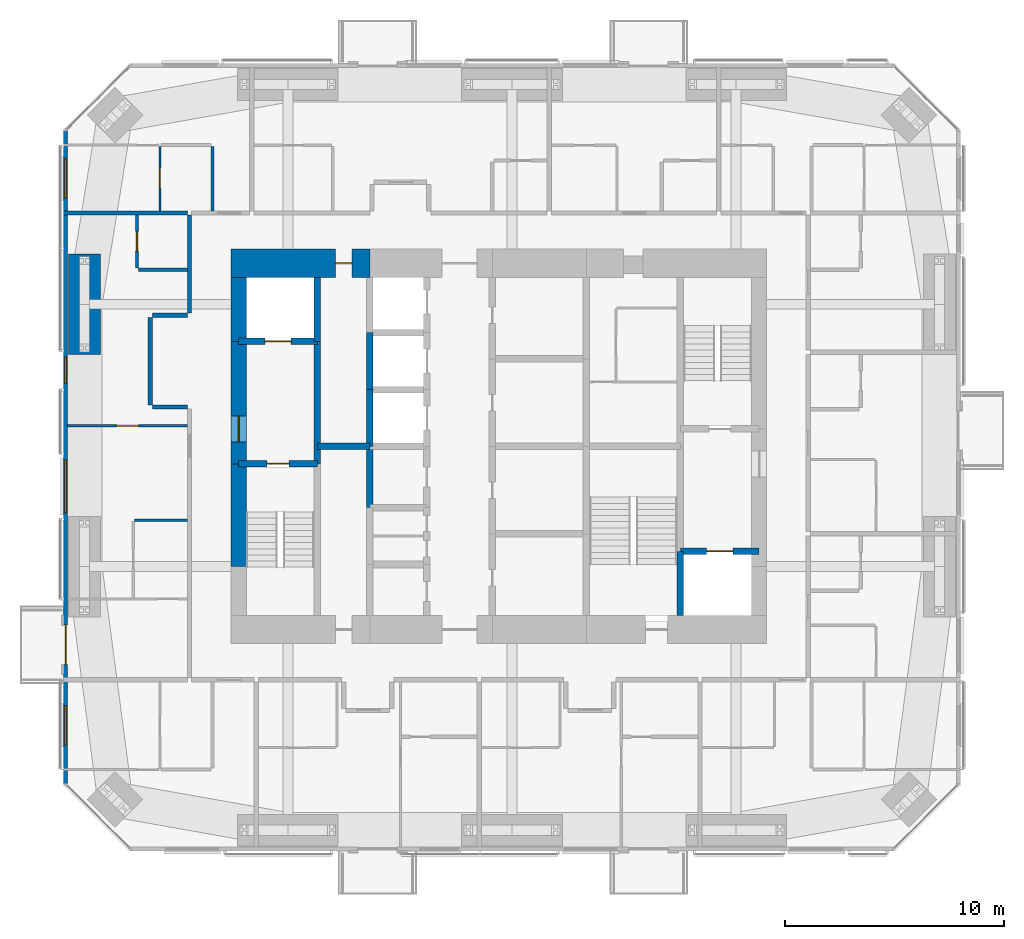
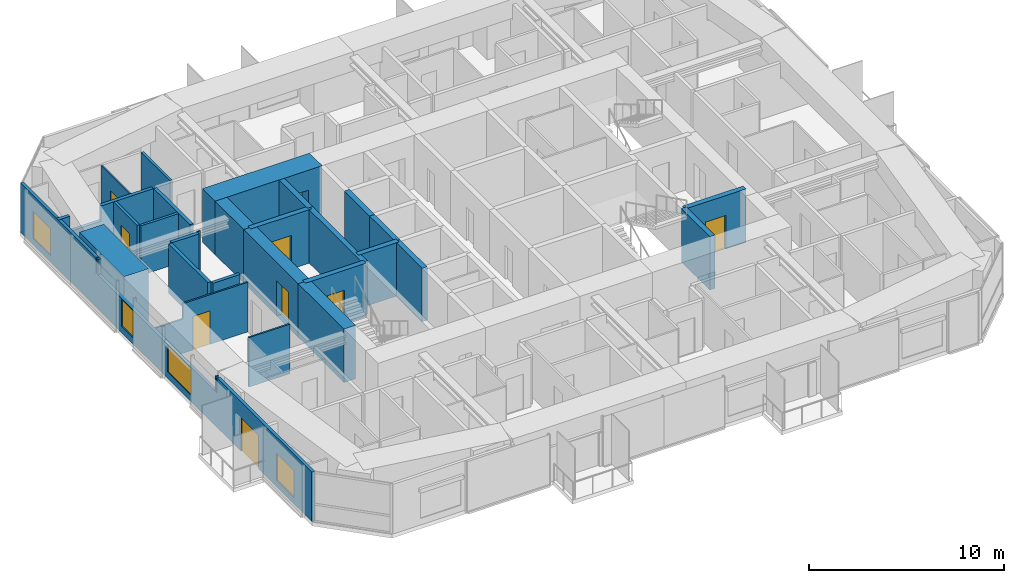
# One storey, part 17 of 22: 27 walls, 9 doors, 4 windows, 13 openings.
"""IFC4 building model written with IfcOpenShell, lengths in metres."""

from ifc_helpers import new_model, si_unit, direction, frame, frame_2d, origin, place, context, subcontext, project, spatial, polyline, rectangle, outline, extrude, material, layer, layer_set, constituent, constituent_set, type_object, element, fill, save


model = new_model("IFC4")

# Units and contexts
model_context = context("Model", 3, precision=1e-05, world=origin(), true_north=direction((0.0, 1.0)))
body_context = subcontext(model_context, "Body", "Model", "MODEL_VIEW")
ifc_project = project(units=[si_unit("LENGTHUNIT", "METRE"), si_unit("AREAUNIT", "SQUARE_METRE"), si_unit("VOLUMEUNIT", "CUBIC_METRE"), si_unit("PLANEANGLEUNIT", "RADIAN"), si_unit("MASSUNIT", "GRAM", prefix="KILO")], contexts=[model_context])

# Site, building, storey
site_placement = place(None, origin())
site = spatial("IfcSite", under=ifc_project, at=site_placement, CompositionType="ELEMENT")
building_placement = place(site_placement, origin())
building = spatial("IfcBuilding", under=site, at=building_placement, Name="Jalousie Tower", CompositionType="ELEMENT")
storey_placement = place(building_placement, frame((0.0, 0.0, 161.050048828125)))
storey = spatial("IfcBuildingStorey", under=building, at=storey_placement, Name="L43", CompositionType="ELEMENT", Elevation=161.050048828125)

# Wall
ifc_material_1 = material(Name="Concrete block ASTM C90", Category="concrete")
ifc_constituent_1 = constituent(ifc_material_1, Name="Body")
ifc_material_2 = material(Name="Render")
ifc_constituent_2 = constituent(ifc_material_2, Name="Finish")
ifc_constituent_set_1 = constituent_set(constituents=[ifc_constituent_1, ifc_constituent_2])
wall_type_1 = type_object("IfcWallType", Name="BATHROOM WALL 150", PredefinedType="PLUMBINGWALL", material=ifc_constituent_set_1)
wall_1_placement = place(storey_placement, frame((18.800048828125, 32.20361328125, 0.0), z_axis=(0.0, 0.0, 1.0), x_axis=(0.0, -1.0, 0.0)))
element("IfcWall", 1, at=wall_1_placement, inside=storey, type_object=wall_type_1, Name="Bathroom Wall 150 L43", PredefinedType="PLUMBINGWALL", context=body_context, shape_type="SweptSolid", body=[
    extrude(rectangle(XDim=2.9287109375, YDim=0.14990234375, at=frame_2d((1.46435546875, 0.0))), origin(), (0.0, 0.0, 1.0), 3.10986328125),
])

# Wall, opening, door
wall_2_placement = place(storey_placement, frame((15.35009765625, 26.64990234375, 0.0), z_axis=(0.0, 0.0, 1.0), x_axis=(0.0, 1.0, 0.0)))
wall_2 = element("IfcWall", 2, at=wall_2_placement, inside=storey, type_object=wall_type_1, Name="Bathroom Wall 150 L43", PredefinedType="PLUMBINGWALL", context=body_context, shape_type="SweptSolid", body=[
    extrude(rectangle(XDim=2.425048828125, YDim=0.14990234375, at=frame_2d((1.21240234375, 0.0))), origin(), (0.0, 0.0, 1.0), 3.10986328125),
])
opening_1_placement = place(wall_2_placement, frame((0.77490234375, 0.0, 0.0)))
opening_1 = element("IfcOpeningElement", 3, at=opening_1_placement, cuts=wall_2, Name="Opening D3", PredefinedType="OPENING", context=body_context, shape_type="SweptSolid", body=[
    extrude(rectangle(XDim=0.89990234375, YDim=2.10009765625, at=frame_2d((0.449951171875, 1.050048828125))), frame((0.0, 0.0849609375, 0.0), z_axis=(0.0, -1.0, 0.0), x_axis=(1.0, 0.0, 0.0)), (0.0, 0.0, 1.0), 0.169921875),
])
ifc_material_3 = material(Name="Timber door", Category="wood")
door_type_1 = type_object("IfcDoorType", Name="BATHROOM DOOR 900", OperationType="SINGLE_SWING_LEFT", PredefinedType="DOOR", material=ifc_material_3)
door_1_placement = place(opening_1_placement, frame((0.89990234375, 0.0, 0.0), z_axis=(0.0, 0.0, 1.0), x_axis=(-1.0, 0.0, 0.0)))
door_1 = element("IfcDoor", 4, at=door_1_placement, inside=storey, type_object=door_type_1, Name="Apartment 4309 bathroom door", OperationType="SINGLE_SWING_LEFT", OverallHeight=2.10009765625, OverallWidth=0.89990234375, PredefinedType="DOOR", context=body_context, shape_type="SweptSolid", body=[
    extrude(rectangle(XDim=0.89990234375, YDim=2.10009765625, at=frame_2d((0.449951171875, 1.050048828125))), frame((0.0, 0.02490234375, 0.0), z_axis=(0.0, -1.0, 0.0), x_axis=(1.0, 0.0, 0.0)), (0.0, 0.0, 1.0), 0.050048828125),
])
fill(opening_1, door_1)

# Wall
wall_3_placement = place(storey_placement, frame((15.425048828125, 26.574951171875, 0.0), z_axis=(0.0, 0.0, 1.0), x_axis=(1.0, 0.0, 0.0)))
element("IfcWall", 5, at=wall_3_placement, inside=storey, type_object=wall_type_1, Name="Bathroom Wall 150 L43", PredefinedType="PLUMBINGWALL", context=body_context, shape_type="SweptSolid", body=[
    extrude(rectangle(XDim=2.224853515625, YDim=0.14990234375, at=frame_2d((1.1123046875, 0.0))), origin(), (0.0, 0.0, 1.0), 3.10986328125),
])

# Wall, opening, door
ifc_material_4 = material(Name="Concrete f'c 120 MPa", Category="concrete")
ifc_layer_1 = layer(ifc_material_4, 1.300048828125)
ifc_layer_set_1 = layer_set([ifc_layer_1], Name="Concrete f'c 120 MPa")
wall_type_2 = type_object("IfcWallType", Name="CORE WALL 1300", PredefinedType="SHEAR", material=ifc_layer_set_1)
wall_4_placement = place(storey_placement, frame((26.0, 26.875, 0.0), z_axis=(0.0, 0.0, 1.0), x_axis=(-1.0, 0.0, 0.0)))
wall_4 = element("IfcWall", 6, at=wall_4_placement, inside=storey, type_object=wall_type_2, Name="Core wall ND L43", PredefinedType="SHEAR", context=body_context, shape_type="SweptSolid", body=[
    extrude(rectangle(XDim=6.35009765625, YDim=1.300048828125, at=frame_2d((3.175048828125, 0.0))), origin(), (0.0, 0.0, 1.0), 3.349853515625),
])
opening_2_placement = place(wall_4_placement, frame((0.824951171875, 0.0, 0.0)))
opening_2 = element("IfcOpeningElement", 7, at=opening_2_placement, cuts=wall_4, Name="Opening D16", PredefinedType="OPENING", context=body_context, shape_type="SweptSolid", body=[
    extrude(rectangle(XDim=0.75, YDim=2.10009765625, at=frame_2d((0.375, 1.050048828125))), frame((0.0, 0.659912109375, 0.0), z_axis=(0.0, -1.0, 0.0), x_axis=(1.0, 0.0, 0.0)), (0.0, 0.0, 1.0), 1.320068359375),
])
ifc_material_5 = material(Name="Steel fire door", Category="steel")
door_type_2 = type_object("IfcDoorType", Name="RISER DOOR 750", OperationType="SINGLE_SWING_LEFT", PredefinedType="DOOR", material=ifc_material_5)
door_2_placement = place(opening_2_placement, origin())
door_2 = element("IfcDoor", 8, at=door_2_placement, inside=storey, type_object=door_type_2, Name="North riser door", OperationType="SINGLE_SWING_RIGHT", OverallHeight=2.10009765625, OverallWidth=0.75, PredefinedType="DOOR", context=body_context, shape_type="SweptSolid", body=[
    extrude(rectangle(XDim=0.75, YDim=2.10009765625, at=frame_2d((0.375, 1.050048828125))), frame((0.0, 0.02490234375, 0.0), z_axis=(0.0, -1.0, 0.0), x_axis=(1.0, 0.0, 0.0)), (0.0, 0.0, 1.0), 0.050048828125),
])
fill(opening_2, door_2)

# Walls
ifc_material_6 = material(Name="Concrete f'c 120 MPa", Category="concrete")
ifc_layer_2 = layer(ifc_material_6, 0.300048828125)
ifc_layer_set_2 = layer_set([ifc_layer_2], Name="Concrete f'c 120 MPa")
wall_type_3 = type_object("IfcWallType", Name="CORE WALL 300", PredefinedType="SHEAR", material=ifc_layer_set_2)
wall_5_placement = place(storey_placement, frame((23.60009765625, 17.699951171875, 0.0), z_axis=(0.0, 0.0, 1.0), x_axis=(0.0, 1.0, 0.0)))
element("IfcWall", 9, at=wall_5_placement, inside=storey, type_object=wall_type_3, Name="Core wall X23.6B L43", PredefinedType="SHEAR", context=body_context, shape_type="SweptSolid", body=[
    extrude(rectangle(XDim=5.60009765625, YDim=0.300048828125, at=frame_2d((2.800048828125, 0.0))), origin(), (0.0, 0.0, 1.0), 3.349853515625),
])
wall_6_placement = place(storey_placement, frame((23.60009765625, 23.300048828125, 0.0), z_axis=(0.0, 0.0, 1.0), x_axis=(0.0, 1.0, 0.0)))
element("IfcWall", 10, at=wall_6_placement, inside=storey, type_object=wall_type_3, Name="Core wall X23.6C L43", PredefinedType="SHEAR", context=body_context, shape_type="SweptSolid", body=[
    extrude(rectangle(XDim=2.925048828125, YDim=0.300048828125, at=frame_2d((1.46240234375, 0.0))), origin(), (0.0, 0.0, 1.0), 3.349853515625),
])
wall_7_placement = place(storey_placement, frame((26.0, 15.699951171875, 0.0), z_axis=(0.0, 0.0, 1.0), x_axis=(0.0, 1.0, 0.0)))
element("IfcWall", 11, at=wall_7_placement, inside=storey, type_object=wall_type_3, Name="Core wall X26C L43", PredefinedType="SHEAR", context=body_context, shape_type="SweptSolid", body=[
    extrude(rectangle(XDim=2.800048828125, YDim=0.300048828125, at=frame_2d((1.39990234375, 0.0))), origin(), (0.0, 0.0, 1.0), 3.349853515625),
])
wall_8_placement = place(storey_placement, frame((26.0, 18.5, 0.0), z_axis=(0.0, 0.0, 1.0), x_axis=(0.0, 1.0, 0.0)))
element("IfcWall", 12, at=wall_8_placement, inside=storey, type_object=wall_type_3, Name="Core wall X26D L43", PredefinedType="SHEAR", context=body_context, shape_type="SweptSolid", body=[
    extrude(rectangle(XDim=2.60009765625, YDim=0.300048828125, at=frame_2d((1.300048828125, 0.0))), origin(), (0.0, 0.0, 1.0), 3.349853515625),
])
wall_9_placement = place(storey_placement, frame((26.0, 21.10009765625, 0.0), z_axis=(0.0, 0.0, 1.0), x_axis=(0.0, 1.0, 0.0)))
element("IfcWall", 13, at=wall_9_placement, inside=storey, type_object=wall_type_3, Name="Core wall X26E L43", PredefinedType="SHEAR", context=body_context, shape_type="SweptSolid", body=[
    extrude(rectangle(XDim=2.599853515625, YDim=0.300048828125, at=frame_2d((1.2998046875, 0.0))), origin(), (0.0, 0.0, 1.0), 3.349853515625),
])
wall_10_placement = place(storey_placement, frame((40.199951171875, 10.77490234375, 0.0), z_axis=(0.0, 0.0, 1.0), x_axis=(0.0, 1.0, 0.0)))
element("IfcWall", 14, at=wall_10_placement, inside=storey, type_object=wall_type_3, Name="Core wall X40.2A L43", PredefinedType="SHEAR", context=body_context, shape_type="SweptSolid", body=[
    extrude(rectangle(XDim=2.925048828125, YDim=0.300048828125, at=frame_2d((1.46240234375, 0.0))), origin(), (0.0, 0.0, 1.0), 3.349853515625),
])

# Wall, opening, door
wall_11_placement = place(storey_placement, frame((20.0, 17.699951171875, 0.0), z_axis=(0.0, 0.0, 1.0), x_axis=(1.0, 0.0, 0.0)))
wall_11 = element("IfcWall", 15, at=wall_11_placement, inside=storey, type_object=wall_type_3, Name="Core wall Y20-17.7 L43", PredefinedType="SHEAR", context=body_context, shape_type="SweptSolid", body=[
    extrude(rectangle(XDim=3.60009765625, YDim=0.300048828125, at=frame_2d((1.800048828125, 0.0))), origin(), (0.0, 0.0, 1.0), 3.349853515625),
])
opening_3_placement = place(wall_11_placement, frame((1.300048828125, 0.0, 0.0)))
opening_3 = element("IfcOpeningElement", 16, at=opening_3_placement, cuts=wall_11, Name="Opening D10", PredefinedType="OPENING", context=body_context, shape_type="SweptSolid", body=[
    extrude(rectangle(XDim=1.0, YDim=2.10009765625, at=frame_2d((0.5, 1.050048828125))), frame((0.0, 0.159912109375, 0.0), z_axis=(0.0, -1.0, 0.0), x_axis=(1.0, 0.0, 0.0)), (0.0, 0.0, 1.0), 0.320068359375),
])
ifc_material_7 = material(Name="Steel fire door", Category="steel")
door_type_3 = type_object("IfcDoorType", Name="STAIR DOOR 1000", OperationType="SINGLE_SWING_LEFT", PredefinedType="DOOR", material=ifc_material_7)
door_3_placement = place(opening_3_placement, frame((1.0, 0.0, 0.0), z_axis=(0.0, 0.0, 1.0), x_axis=(-1.0, 0.0, 0.0)))
door_3 = element("IfcDoor", 17, at=door_3_placement, inside=storey, type_object=door_type_3, Name="Exit stair A door", OperationType="SINGLE_SWING_RIGHT", OverallHeight=2.10009765625, OverallWidth=1.0, PredefinedType="DOOR", context=body_context, shape_type="SweptSolid", body=[
    extrude(rectangle(XDim=1.0, YDim=2.10009765625, at=frame_2d((0.5, 1.050048828125))), frame((0.0, 0.02490234375, 0.0), z_axis=(0.0, -1.0, 0.0), x_axis=(1.0, 0.0, 0.0)), (0.0, 0.0, 1.0), 0.050048828125),
])
fill(opening_3, door_3)

wall_12_placement = place(storey_placement, frame((20.0, 23.300048828125, 0.0), z_axis=(0.0, 0.0, 1.0), x_axis=(1.0, 0.0, 0.0)))
wall_12 = element("IfcWall", 18, at=wall_12_placement, inside=storey, type_object=wall_type_3, Name="Core wall Y20-23.3 L43", PredefinedType="SHEAR", context=body_context, shape_type="SweptSolid", body=[
    extrude(rectangle(XDim=3.60009765625, YDim=0.300048828125, at=frame_2d((1.800048828125, 0.0))), origin(), (0.0, 0.0, 1.0), 3.349853515625),
])
opening_4_placement = place(wall_12_placement, frame((1.199951171875, 0.0, 0.0)))
opening_4 = element("IfcOpeningElement", 19, at=opening_4_placement, cuts=wall_12, Name="Opening LD2", PredefinedType="OPENING", context=body_context, shape_type="SweptSolid", body=[
    extrude(rectangle(XDim=1.199951171875, YDim=2.10009765625, at=frame_2d((0.60009765625, 1.050048828125))), frame((0.0, 0.159912109375, 0.0), z_axis=(0.0, -1.0, 0.0), x_axis=(1.0, 0.0, 0.0)), (0.0, 0.0, 1.0), 0.320068359375),
])
ifc_material_8 = material(Name="Steel lift landing door", Category="steel")
door_type_4 = type_object("IfcDoorType", Name="LIFT LANDING DOOR 1200", OperationType="SLIDING_TO_LEFT", PredefinedType="DOOR", material=ifc_material_8)
door_4_placement = place(opening_4_placement, origin())
door_4 = element("IfcDoor", 20, at=door_4_placement, inside=storey, type_object=door_type_4, Name="Lift F1 landing door", OperationType="SLIDING_TO_LEFT", OverallHeight=2.10009765625, OverallWidth=1.199951171875, PredefinedType="DOOR", context=body_context, shape_type="SweptSolid", body=[
    extrude(rectangle(XDim=1.199951171875, YDim=2.10009765625, at=frame_2d((0.60009765625, 1.050048828125))), frame((0.0, 0.02490234375, 0.0), z_axis=(0.0, -1.0, 0.0), x_axis=(1.0, 0.0, 0.0)), (0.0, 0.0, 1.0), 0.050048828125),
])
fill(opening_4, door_4)

# Wall
wall_13_placement = place(storey_placement, frame((23.60009765625, 18.5, 0.0), z_axis=(0.0, 0.0, 1.0), x_axis=(1.0, 0.0, 0.0)))
element("IfcWall", 21, at=wall_13_placement, inside=storey, type_object=wall_type_3, Name="Core wall Y23.6-18.5 L43", PredefinedType="SHEAR", context=body_context, shape_type="SweptSolid", body=[
    extrude(rectangle(XDim=2.39990234375, YDim=0.300048828125, at=frame_2d((1.199951171875, 0.0))), origin(), (0.0, 0.0, 1.0), 3.349853515625),
])

# Wall, opening, door
wall_14_placement = place(storey_placement, frame((40.199951171875, 13.699951171875, 0.0), z_axis=(0.0, 0.0, 1.0), x_axis=(1.0, 0.0, 0.0)))
wall_14 = element("IfcWall", 22, at=wall_14_placement, inside=storey, type_object=wall_type_3, Name="Core wall Y40.2-13.7 L43", PredefinedType="SHEAR", context=body_context, shape_type="SweptSolid", body=[
    extrude(rectangle(XDim=3.60009765625, YDim=0.300048828125, at=frame_2d((1.800048828125, 0.0))), origin(), (0.0, 0.0, 1.0), 3.349853515625),
])
opening_5_placement = place(wall_14_placement, frame((1.199951171875, 0.0, 0.0)))
opening_5 = element("IfcOpeningElement", 23, at=opening_5_placement, cuts=wall_14, Name="Opening LD2", PredefinedType="OPENING", context=body_context, shape_type="SweptSolid", body=[
    extrude(rectangle(XDim=1.199951171875, YDim=2.10009765625, at=frame_2d((0.60009765625, 1.050048828125))), frame((0.0, 0.159912109375, 0.0), z_axis=(0.0, -1.0, 0.0), x_axis=(1.0, 0.0, 0.0)), (0.0, 0.0, 1.0), 0.320068359375),
])
door_5_placement = place(opening_5_placement, origin())
door_5 = element("IfcDoor", 24, at=door_5_placement, inside=storey, type_object=door_type_4, Name="Lift F2 landing door", OperationType="SLIDING_TO_LEFT", OverallHeight=2.10009765625, OverallWidth=1.199951171875, PredefinedType="DOOR", context=body_context, shape_type="SweptSolid", body=[
    extrude(rectangle(XDim=1.199951171875, YDim=2.10009765625, at=frame_2d((0.60009765625, 1.050048828125))), frame((0.0, 0.02490234375, 0.0), z_axis=(0.0, -1.0, 0.0), x_axis=(1.0, 0.0, 0.0)), (0.0, 0.0, 1.0), 0.050048828125),
])
fill(opening_5, door_5)

# Wall
ifc_material_9 = material(Name="Concrete f'c 120 MPa", Category="concrete")
ifc_layer_3 = layer(ifc_material_9, 0.699951171875)
ifc_layer_set_3 = layer_set([ifc_layer_3], Name="Concrete f'c 120 MPa")
wall_type_4 = type_object("IfcWallType", Name="CORE WALL 700", PredefinedType="SHEAR", material=ifc_layer_set_3)
wall_15_placement = place(storey_placement, frame((20.0, 26.22509765625, 0.0), z_axis=(0.0, 0.0, 1.0), x_axis=(0.0, -1.0, 0.0)))
element("IfcWall", 25, at=wall_15_placement, inside=storey, type_object=wall_type_4, Name="Core wall WA L43", PredefinedType="SHEAR", context=body_context, shape_type="SweptSolid", body=[
    extrude(rectangle(XDim=2.925048828125, YDim=0.699951171875, at=frame_2d((1.46240234375, 0.0))), origin(), (0.0, 0.0, 1.0), 3.349853515625),
])

# Wall, opening, door
wall_16_placement = place(storey_placement, frame((20.0, 23.300048828125, 0.0), z_axis=(0.0, 0.0, 1.0), x_axis=(0.0, -1.0, 0.0)))
wall_16 = element("IfcWall", 26, at=wall_16_placement, inside=storey, type_object=wall_type_4, Name="Core wall WB L43", PredefinedType="SHEAR", context=body_context, shape_type="SweptSolid", body=[
    extrude(rectangle(XDim=5.60009765625, YDim=0.699951171875, at=frame_2d((2.800048828125, 0.0))), origin(), (0.0, 0.0, 1.0), 3.349853515625),
])
opening_6_placement = place(wall_16_placement, frame((3.39990234375, 0.0, 0.0)))
opening_6 = element("IfcOpeningElement", 27, at=opening_6_placement, cuts=wall_16, Name="Opening D11", PredefinedType="OPENING", context=body_context, shape_type="SweptSolid", body=[
    extrude(rectangle(XDim=1.199951171875, YDim=2.199951171875, at=frame_2d((0.60009765625, 1.10009765625))), frame((0.0, 0.35986328125, 0.0), z_axis=(0.0, -1.0, 0.0), x_axis=(1.0, 0.0, 0.0)), (0.0, 0.0, 1.0), 0.719970703125),
])
ifc_material_10 = material(Name="Steel fire door", Category="steel")
door_type_5 = type_object("IfcDoorType", Name="FIRE DOOR 1200", OperationType="SINGLE_SWING_LEFT", PredefinedType="DOOR", material=ifc_material_10)
door_6_placement = place(opening_6_placement, origin())
door_6 = element("IfcDoor", 28, at=door_6_placement, inside=storey, type_object=door_type_5, Name="Fire-fighting lobby A door", OperationType="SINGLE_SWING_RIGHT", OverallHeight=2.199951171875, OverallWidth=1.199951171875, PredefinedType="DOOR", context=body_context, shape_type="SweptSolid", body=[
    extrude(rectangle(XDim=1.199951171875, YDim=2.199951171875, at=frame_2d((0.60009765625, 1.10009765625))), frame((0.0, 0.02490234375, 0.0), z_axis=(0.0, -1.0, 0.0), x_axis=(1.0, 0.0, 0.0)), (0.0, 0.0, 1.0), 0.050048828125),
])
fill(opening_6, door_6)

# Walls
wall_17_placement = place(storey_placement, frame((20.0, 17.699951171875, 0.0), z_axis=(0.0, 0.0, 1.0), x_axis=(0.0, -1.0, 0.0)))
element("IfcWall", 29, at=wall_17_placement, inside=storey, type_object=wall_type_4, Name="Core wall WC L43", PredefinedType="SHEAR", context=body_context, shape_type="SweptSolid", body=[
    extrude(rectangle(XDim=4.699951171875, YDim=0.699951171875, at=frame_2d((2.35009765625, 0.0))), origin(), (0.0, 0.0, 1.0), 3.349853515625),
])
ifc_material_11 = material(Name="Concrete block ASTM C90", Category="concrete")
ifc_constituent_3 = constituent(ifc_material_11, Name="Body")
ifc_material_12 = material(Name="Render")
ifc_constituent_4 = constituent(ifc_material_12, Name="Finish")
ifc_constituent_set_2 = constituent_set(constituents=[ifc_constituent_3, ifc_constituent_4])
wall_type_5 = type_object("IfcWallType", Name="CORRIDOR WALL 200", PredefinedType="PARTITIONING", material=ifc_constituent_set_2)
wall_18_placement = place(storey_placement, frame((17.75, 24.60009765625, 0.0), z_axis=(0.0, 0.0, 1.0), x_axis=(0.0, 1.0, 0.0)))
element("IfcWall", 30, at=wall_18_placement, inside=storey, type_object=wall_type_5, Name="Corridor Wall 200 L43", PredefinedType="PARTITIONING", context=body_context, shape_type="SweptSolid", body=[
    extrude(outline(polyline([(0.0, 0.0), (4.474853515625, 0.0), (4.47509765625, 3.10986328125), (0.7373046875, 3.10986328125), (0.7373046875, 2.541015625), (0.0625, 2.541015625), (0.0625, 3.10986328125), (0.0, 3.10986328125), (0.0, 0.0)])), frame((0.0, 0.10009765625, 0.0), z_axis=(0.0, -1.0, 0.0), x_axis=(1.0, 0.0, 0.0)), (0.0, 0.0, 1.0), 0.199951171875),
])
wall_19_placement = place(storey_placement, frame((15.949951171875, 20.39990234375, 0.0), z_axis=(0.0, 0.0, 1.0), x_axis=(0.0, 1.0, 0.0)))
element("IfcWall", 31, at=wall_19_placement, inside=storey, type_object=wall_type_5, Name="Corridor Wall 200 L43", PredefinedType="PARTITIONING", context=body_context, shape_type="SweptSolid", body=[
    extrude(rectangle(XDim=4.0, YDim=0.199951171875, at=frame_2d((2.0, 0.0))), origin(), (0.0, 0.0, 1.0), 3.10986328125),
])
for number, where, z_axis, x_axis, name in (
    (32, (17.64990234375, 20.300048828125, 0.0), (0.0, 0.0, 1.0), (-1.0, 0.0, 0.0), "Corridor Wall 200 L43"),
    (33, (17.64990234375, 24.5, 0.0), (0.0, 0.0, 1.0), (-1.0, 0.0, 0.0), "Corridor Wall 200 L43"),
):
    element("IfcWall", number, at=place(storey_placement, frame(where, z_axis=z_axis, x_axis=x_axis)), inside=storey, type_object=wall_type_5, Name=name, PredefinedType="PARTITIONING", context=body_context, shape_type="SweptSolid", body=[
        extrude(rectangle(XDim=1.599853515625, YDim=0.199951171875, at=frame_2d((0.7998046875, 0.0))), origin(), (0.0, 0.0, 1.0), 3.10986328125),
    ])

# Wall, openings, door, windows
ifc_material_13 = material(Name="Concrete f'c 40 MPa", Category="concrete")
ifc_constituent_5 = constituent(ifc_material_13, Name="Body")
ifc_material_14 = material(Name="Render, pastel lemon")
ifc_constituent_6 = constituent(ifc_material_14, Name="Finish")
ifc_constituent_set_3 = constituent_set(constituents=[ifc_constituent_5, ifc_constituent_6])
wall_type_6 = type_object("IfcWallType", Name="EXTERNAL WALL 175 LEMON RENDER", PredefinedType="SOLIDWALL", material=ifc_constituent_set_3)
wall_20_placement = place(storey_placement, frame((12.08740234375, 32.94873046875, 0.0), z_axis=(0.0, 0.0, 1.0), x_axis=(0.0, -1.0, 0.0)))
wall_20 = element("IfcWall", 34, at=wall_20_placement, inside=storey, type_object=wall_type_6, Name="External Wall 175 Lemon Render L43", PredefinedType="SOLIDWALL", context=body_context, shape_type="SweptSolid", body=[
    extrude(outline(polyline([(0.0, 0.0), (29.8974609375, 0.0), (29.8974609375, 3.10986328125), (20.19140625, 3.10986328125), (20.19140625, 2.14990234375), (20.050537109375, 2.14990234375), (20.050537109375, 3.10986328125), (19.94873046875, 3.10986328125), (19.94873046875, 2.14990234375), (7.94873046875, 2.14990234375), (7.94873046875, 3.10986328125), (7.823486328125, 3.10986328125), (7.823486328125, 2.14990234375), (7.729736328125, 2.14990234375), (7.729736328125, 3.10986328125), (0.0, 3.10986328125), (0.0, 0.0)])), frame((0.0, 0.08740234375, 0.0), z_axis=(0.0, -1.0, 0.0), x_axis=(1.0, 0.0, 0.0)), (0.0, 0.0, 1.0), 0.175048828125),
])
opening_7_placement = place(wall_20_placement, frame((1.296875, 0.0, 0.39990234375)))
opening_7 = element("IfcOpeningElement", 35, at=opening_7_placement, cuts=wall_20, Name="Opening W-BED170", PredefinedType="OPENING", context=body_context, shape_type="SweptSolid", body=[
    extrude(rectangle(XDim=1.800048828125, YDim=1.699951171875, at=frame_2d((0.89990234375, 0.85009765625))), frame((0.0, 0.097412109375, 0.0), z_axis=(0.0, -1.0, 0.0), x_axis=(1.0, 0.0, 0.0)), (0.0, 0.0, 1.0), 0.195068359375),
])
opening_8_placement = place(wall_20_placement, frame((10.36669921875, 0.0, 0.39990234375)))
opening_8 = element("IfcOpeningElement", 36, at=opening_8_placement, cuts=wall_20, Name="Opening W-COR170", PredefinedType="OPENING", context=body_context, shape_type="SweptSolid", body=[
    extrude(rectangle(XDim=1.199951171875, YDim=1.699951171875, at=frame_2d((0.60009765625, 0.85009765625))), frame((0.0, 0.097412109375, 0.0), z_axis=(0.0, -1.0, 0.0), x_axis=(1.0, 0.0, 0.0)), (0.0, 0.0, 1.0), 0.195068359375),
])
opening_9_placement = place(wall_20_placement, frame((15.082763671875, 0.0, 0.39990234375)))
opening_9 = element("IfcOpeningElement", 37, at=opening_9_placement, cuts=wall_20, Name="Opening W-LIV170", PredefinedType="OPENING", context=body_context, shape_type="SweptSolid", body=[
    extrude(rectangle(XDim=2.39990234375, YDim=1.699951171875, at=frame_2d((1.199951171875, 0.85009765625))), frame((0.0, 0.097412109375, 0.0), z_axis=(0.0, -1.0, 0.0), x_axis=(1.0, 0.0, 0.0)), (0.0, 0.0, 1.0), 0.195068359375),
])
opening_10_placement = place(wall_20_placement, frame((22.623779296875, 0.0, 0.0)))
opening_10 = element("IfcOpeningElement", 38, at=opening_10_placement, cuts=wall_20, Name="Opening D-BAL21", PredefinedType="OPENING", context=body_context, shape_type="SweptSolid", body=[
    extrude(rectangle(XDim=1.800048828125, YDim=2.10009765625, at=frame_2d((0.89990234375, 1.050048828125))), frame((0.0, 0.097412109375, 0.0), z_axis=(0.0, -1.0, 0.0), x_axis=(1.0, 0.0, 0.0)), (0.0, 0.0, 1.0), 0.195068359375),
])
opening_11_placement = place(wall_20_placement, frame((26.300537109375, 0.0, 0.39990234375)))
opening_11 = element("IfcOpeningElement", 39, at=opening_11_placement, cuts=wall_20, Name="Opening W-BED170", PredefinedType="OPENING", context=body_context, shape_type="SweptSolid", body=[
    extrude(rectangle(XDim=1.800048828125, YDim=1.699951171875, at=frame_2d((0.89990234375, 0.85009765625))), frame((0.0, 0.097412109375, 0.0), z_axis=(0.0, -1.0, 0.0), x_axis=(1.0, 0.0, 0.0)), (0.0, 0.0, 1.0), 0.195068359375),
])
ifc_material_15 = material(Name="Aluminium frame, impact-rated glazing", Category="aluminium")
door_type_6 = type_object("IfcDoorType", Name="BALCONY DOOR 1800x2100", OperationType="SLIDING_TO_LEFT", PredefinedType="DOOR", material=ifc_material_15)
door_7_placement = place(opening_10_placement, origin())
door_7 = element("IfcDoor", 40, at=door_7_placement, inside=storey, type_object=door_type_6, Name="Apartment 4309 bedroom 1 balcony door", OperationType="SLIDING_TO_LEFT", OverallHeight=2.10009765625, OverallWidth=1.800048828125, PredefinedType="DOOR", context=body_context, shape_type="SweptSolid", body=[
    extrude(rectangle(XDim=1.800048828125, YDim=2.10009765625, at=frame_2d((0.89990234375, 1.050048828125))), frame((0.0, 0.02490234375, 0.0), z_axis=(0.0, -1.0, 0.0), x_axis=(1.0, 0.0, 0.0)), (0.0, 0.0, 1.0), 0.050048828125),
])
fill(opening_10, door_7)
ifc_material_16 = material(Name="Aluminium frame, impact-rated glazing", Category="aluminium")
window_type_1 = type_object("IfcWindowType", Name="WINDOW BED 1800x1700", PartitioningType="SINGLE_PANEL", PredefinedType="WINDOW", material=ifc_material_16)
window_1_placement = place(opening_7_placement, origin())
window_1 = element("IfcWindow", 41, at=window_1_placement, inside=storey, type_object=window_type_1, Name="Apartment 4305 bedroom 1 window", OverallHeight=1.699951171875, OverallWidth=1.800048828125, PartitioningType="SINGLE_PANEL", PredefinedType="WINDOW", context=body_context, shape_type="SweptSolid", body=[
    extrude(rectangle(XDim=1.800048828125, YDim=1.699951171875, at=frame_2d((0.89990234375, 0.85009765625))), frame((0.0, 0.030029296875, 0.0), z_axis=(0.0, -1.0, 0.0), x_axis=(1.0, 0.0, 0.0)), (0.0, 0.0, 1.0), 0.06005859375),
])
fill(opening_7, window_1)
window_2_placement = place(opening_11_placement, origin())
window_2 = element("IfcWindow", 42, at=window_2_placement, inside=storey, type_object=window_type_1, Name="Apartment 4301 bedroom 1 window", OverallHeight=1.699951171875, OverallWidth=1.800048828125, PartitioningType="SINGLE_PANEL", PredefinedType="WINDOW", context=body_context, shape_type="SweptSolid", body=[
    extrude(rectangle(XDim=1.800048828125, YDim=1.699951171875, at=frame_2d((0.89990234375, 0.85009765625))), frame((0.0, 0.030029296875, 0.0), z_axis=(0.0, -1.0, 0.0), x_axis=(1.0, 0.0, 0.0)), (0.0, 0.0, 1.0), 0.06005859375),
])
fill(opening_11, window_2)
ifc_material_17 = material(Name="Aluminium frame, impact-rated glazing", Category="aluminium")
window_type_2 = type_object("IfcWindowType", Name="WINDOW COR 1200x1700", PartitioningType="SINGLE_PANEL", PredefinedType="WINDOW", material=ifc_material_17)
window_3_placement = place(opening_8_placement, origin())
window_3 = element("IfcWindow", 43, at=window_3_placement, inside=storey, type_object=window_type_2, Name="Apartment 4309 dining room window", OverallHeight=1.699951171875, OverallWidth=1.199951171875, PartitioningType="SINGLE_PANEL", PredefinedType="WINDOW", context=body_context, shape_type="SweptSolid", body=[
    extrude(rectangle(XDim=1.199951171875, YDim=1.699951171875, at=frame_2d((0.60009765625, 0.85009765625))), frame((0.0, 0.030029296875, 0.0), z_axis=(0.0, -1.0, 0.0), x_axis=(1.0, 0.0, 0.0)), (0.0, 0.0, 1.0), 0.06005859375),
])
fill(opening_8, window_3)
ifc_material_18 = material(Name="Aluminium frame, impact-rated glazing", Category="aluminium")
window_type_3 = type_object("IfcWindowType", Name="WINDOW LIV 2400x1700", PartitioningType="DOUBLE_PANEL_VERTICAL", PredefinedType="WINDOW", material=ifc_material_18)
window_4_placement = place(opening_9_placement, origin())
window_4 = element("IfcWindow", 44, at=window_4_placement, inside=storey, type_object=window_type_3, Name="Apartment 4309 living room window", OverallHeight=1.699951171875, OverallWidth=2.39990234375, PartitioningType="SINGLE_PANEL", PredefinedType="WINDOW", context=body_context, shape_type="SweptSolid", body=[
    extrude(rectangle(XDim=2.39990234375, YDim=1.699951171875, at=frame_2d((1.199951171875, 0.85009765625))), frame((0.0, 0.030029296875, 0.0), z_axis=(0.0, -1.0, 0.0), x_axis=(1.0, 0.0, 0.0)), (0.0, 0.0, 1.0), 0.06005859375),
])
fill(opening_9, window_4)

# Wall, opening, door
ifc_material_19 = material(Name="Gypsum board", Category="gypsum")
ifc_constituent_7 = constituent(ifc_material_19, Name="Body")
ifc_material_20 = material(Name="Light-gauge steel studs ASTM A653 SS Grade 33", Category="steel")
ifc_constituent_8 = constituent(ifc_material_20, Name="Framing")
ifc_constituent_set_4 = constituent_set(constituents=[ifc_constituent_7, ifc_constituent_8])
wall_type_7 = type_object("IfcWallType", Name="PARTITION 100", PredefinedType="PARTITIONING", material=ifc_constituent_set_4)
wall_21_placement = place(storey_placement, frame((16.39990234375, 32.20361328125, 0.0), z_axis=(0.0, 0.0, 1.0), x_axis=(0.0, -1.0, 0.0)))
wall_21 = element("IfcWall", 45, at=wall_21_placement, inside=storey, type_object=wall_type_7, Name="Partition 100 L43", PredefinedType="PARTITIONING", context=body_context, shape_type="SweptSolid", body=[
    extrude(rectangle(XDim=2.9287109375, YDim=0.10009765625, at=frame_2d((1.46435546875, 0.0))), origin(), (0.0, 0.0, 1.0), 3.10986328125),
])
opening_12_placement = place(wall_21_placement, frame((0.976806640625, 0.0, 0.0)))
opening_12 = element("IfcOpeningElement", 46, at=opening_12_placement, cuts=wall_21, Name="Opening D3", PredefinedType="OPENING", context=body_context, shape_type="SweptSolid", body=[
    extrude(rectangle(XDim=0.89990234375, YDim=2.10009765625, at=frame_2d((0.449951171875, 1.050048828125))), frame((0.0, 0.06005859375, 0.0), z_axis=(0.0, -1.0, 0.0), x_axis=(1.0, 0.0, 0.0)), (0.0, 0.0, 1.0), 0.1201171875),
])
door_8_placement = place(opening_12_placement, origin())
door_8 = element("IfcDoor", 47, at=door_8_placement, inside=storey, type_object=door_type_1, Name="Apartment 4305 bedroom 1 bathroom door", OperationType="SINGLE_SWING_LEFT", OverallHeight=2.10009765625, OverallWidth=0.89990234375, PredefinedType="DOOR", context=body_context, shape_type="SweptSolid", body=[
    extrude(rectangle(XDim=0.89990234375, YDim=2.10009765625, at=frame_2d((0.449951171875, 1.050048828125))), frame((0.0, 0.02490234375, 0.0), z_axis=(0.0, -1.0, 0.0), x_axis=(1.0, 0.0, 0.0)), (0.0, 0.0, 1.0), 0.050048828125),
])
fill(opening_12, door_8)

# Wall
wall_22_placement = place(storey_placement, frame((15.22509765625, 15.125, 0.0), z_axis=(0.0, 0.0, 1.0), x_axis=(1.0, 0.0, 0.0)))
element("IfcWall", 48, at=wall_22_placement, inside=storey, type_object=wall_type_7, Name="Partition 100 L43", PredefinedType="PARTITIONING", context=body_context, shape_type="SweptSolid", body=[
    extrude(rectangle(XDim=2.4248046875, YDim=0.10009765625, at=frame_2d((1.21240234375, 0.0))), origin(), (0.0, 0.0, 1.0), 3.10986328125),
])

# Wall, opening, door
wall_23_placement = place(storey_placement, frame((12.175048828125, 19.4462890625, 0.0), z_axis=(0.0, 0.0, 1.0), x_axis=(1.0, 0.0, 0.0)))
wall_23 = element("IfcWall", 49, at=wall_23_placement, inside=storey, type_object=wall_type_7, Name="Partition 100 L43", PredefinedType="PARTITIONING", context=body_context, shape_type="SweptSolid", body=[
    extrude(outline(polyline([(0.0, 0.0), (5.474853515625, 0.0), (5.47509765625, 3.10986328125), (1.635009765625, 3.10986328125), (1.635009765625, 2.14990234375), (0.0, 2.14990234375), (0.0, 3.10986328125), (0.0, 0.0)])), frame((0.0, 0.050048828125, 0.0), z_axis=(0.0, -1.0, 0.0), x_axis=(1.0, 0.0, 0.0)), (0.0, 0.0, 1.0), 0.10009765625),
])
opening_13_placement = place(wall_23_placement, frame((2.237548828125, 0.0, 0.0)))
opening_13 = element("IfcOpeningElement", 50, at=opening_13_placement, cuts=wall_23, Name="Opening D6", PredefinedType="OPENING", context=body_context, shape_type="SweptSolid", body=[
    extrude(rectangle(XDim=1.0, YDim=2.10009765625, at=frame_2d((0.5, 1.050048828125))), frame((0.0, 0.06005859375, 0.0), z_axis=(0.0, -1.0, 0.0), x_axis=(1.0, 0.0, 0.0)), (0.0, 0.0, 1.0), 0.1201171875),
])
ifc_material_21 = material(Name="Timber door", Category="wood")
door_type_7 = type_object("IfcDoorType", Name="INTERNAL DOOR 1000", OperationType="SINGLE_SWING_LEFT", PredefinedType="DOOR", material=ifc_material_21)
door_9_placement = place(opening_13_placement, origin())
door_9 = element("IfcDoor", 51, at=door_9_placement, inside=storey, type_object=door_type_7, Name="Apartment 4309 dining room door", OperationType="SINGLE_SWING_RIGHT", OverallHeight=2.10009765625, OverallWidth=1.0, PredefinedType="DOOR", context=body_context, shape_type="SweptSolid", body=[
    extrude(rectangle(XDim=1.0, YDim=2.10009765625, at=frame_2d((0.5, 1.050048828125))), frame((0.0, 0.02490234375, 0.0), z_axis=(0.0, -1.0, 0.0), x_axis=(1.0, 0.0, 0.0)), (0.0, 0.0, 1.0), 0.050048828125),
])
fill(opening_13, door_9)

# Walls
ifc_material_22 = material(Name="Concrete block ASTM C90", Category="concrete")
ifc_constituent_9 = constituent(ifc_material_22, Name="Body")
ifc_material_23 = material(Name="Render")
ifc_constituent_10 = constituent(ifc_material_23, Name="Finish")
ifc_constituent_set_5 = constituent_set(constituents=[ifc_constituent_9, ifc_constituent_10])
wall_type_8 = type_object("IfcWallType", Name="PARTY WALL 200", PredefinedType="PARTITIONING", material=ifc_constituent_set_5)
wall_24_placement = place(storey_placement, frame((12.0, 29.175048828125, 0.0), z_axis=(0.0, 0.0, 1.0), x_axis=(1.0, 0.0, 0.0)))
element("IfcWall", 52, at=wall_24_placement, inside=storey, type_object=wall_type_8, Name="Party Wall 200 L43", PredefinedType="PARTITIONING", context=body_context, shape_type="SweptSolid", body=[
    extrude(outline(polyline([(0.0, 0.0), (5.64990234375, 0.0), (5.64990234375, 3.10986328125), (2.546630859375, 3.10986328125), (2.546630859375, 2.14990234375), (0.703125, 2.14990234375), (0.703125, 3.10986328125), (0.0, 3.10986328125), (0.0, 0.0)])), frame((0.0, 0.10009765625, 0.0), z_axis=(0.0, -1.0, 0.0), x_axis=(1.0, 0.0, 0.0)), (0.0, 0.0, 1.0), 0.199951171875),
])
ifc_material_24 = material(Name="Concrete f'c 120 MPa", Category="concrete")
ifc_layer_4 = layer(ifc_material_24, 1.449951171875)
ifc_layer_set_4 = layer_set([ifc_layer_4], Name="Concrete f'c 120 MPa")
wall_type_9 = type_object("IfcWallType", Name="RC WALL PIER 1450", PredefinedType="SHEAR", material=ifc_layer_set_4)
wall_25_placement = place(storey_placement, frame((12.949951171875, 22.699951171875, 0.0), z_axis=(0.0, 0.0, 1.0), x_axis=(0.0, 1.0, 0.0)))
element("IfcWall", 53, at=wall_25_placement, inside=storey, type_object=wall_type_9, Name="Wall pier 13 L43", PredefinedType="SHEAR", context=body_context, shape_type="SweptSolid", body=[
    extrude(rectangle(XDim=4.60009765625, YDim=1.449951171875, at=frame_2d((2.300048828125, 0.0))), origin(), (0.0, 0.0, 1.0), 3.349853515625),
])

save(model, "model.ifc")
